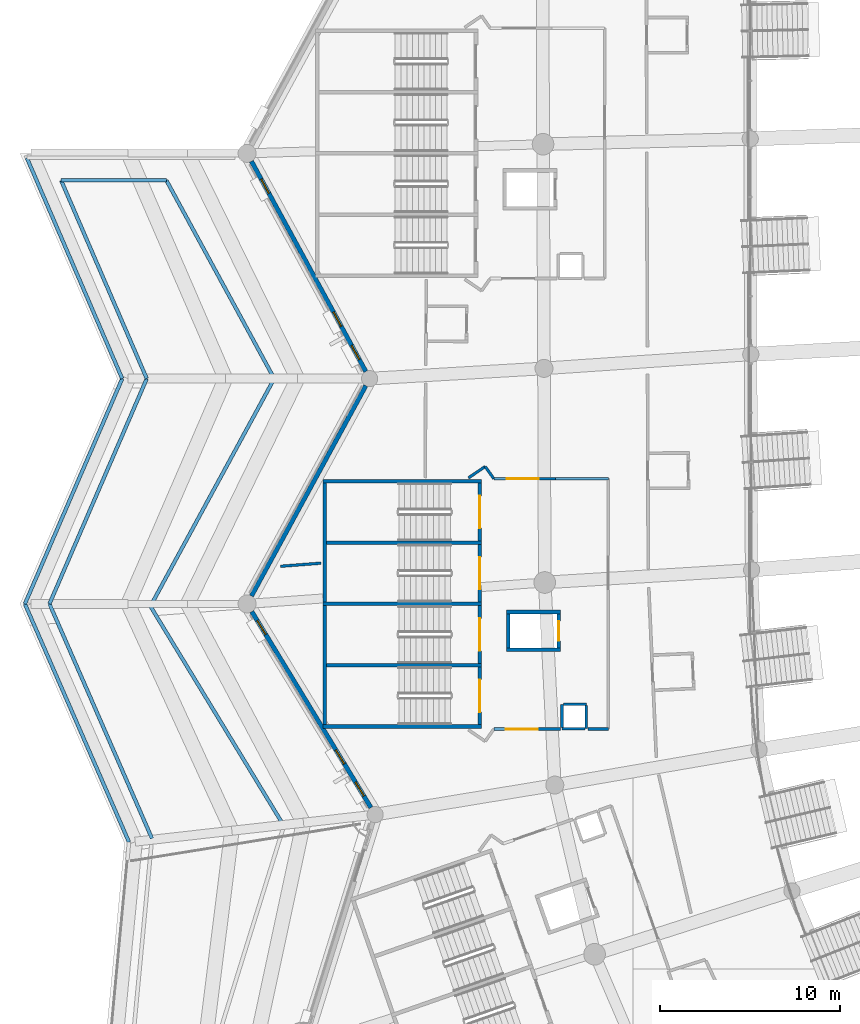
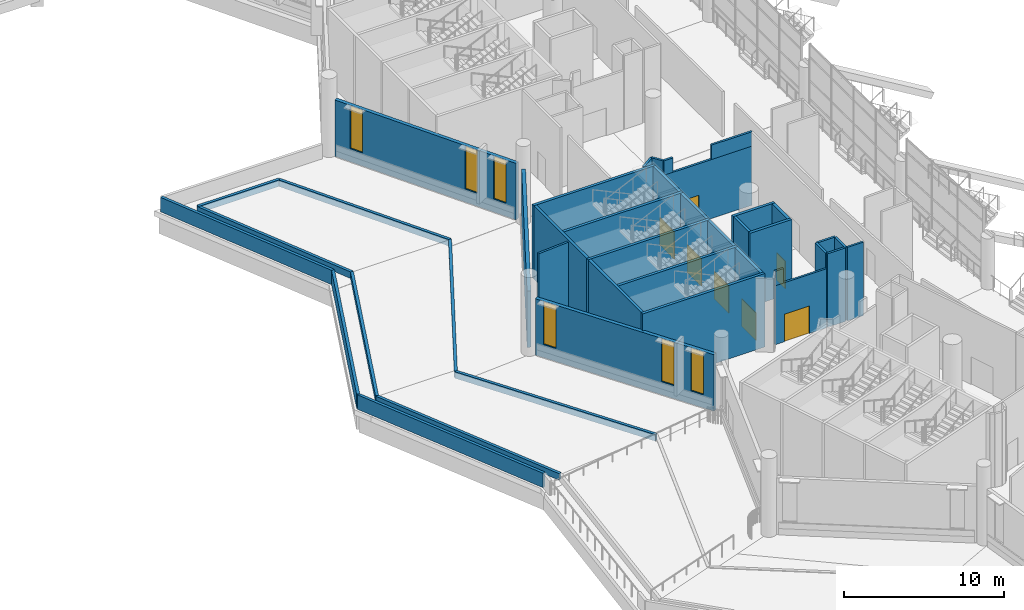
# One storey, part 47 of 173: 41 walls, 7 doors, 6 windows, 13 openings.
"""IFC4 building model written with IfcOpenShell, lengths in metres."""

from ifc_helpers import new_model, si_unit, direction, frame, frame_2d, origin, place, context, subcontext, project, spatial, rectangle, extrude, material, layer, layer_set, type_object, element, fill, save


model = new_model("IFC4")

# Units and contexts
model_context = context("Model", 3, precision=1e-05, world=origin(), true_north=direction((0.0, 1.0)))
body_context = subcontext(model_context, "Body", "Model", "MODEL_VIEW")
ifc_project = project(units=[si_unit("LENGTHUNIT", "METRE"), si_unit("AREAUNIT", "SQUARE_METRE"), si_unit("VOLUMEUNIT", "CUBIC_METRE"), si_unit("PLANEANGLEUNIT", "RADIAN"), si_unit("MASSUNIT", "GRAM", prefix="KILO")], contexts=[model_context])

# Site, building, storey
site_placement = place(None, origin())
site = spatial("IfcSite", under=ifc_project, at=site_placement, CompositionType="ELEMENT")
building_placement = place(site_placement, origin())
building = spatial("IfcBuilding", under=site, at=building_placement, Name="Meseta Stadium", CompositionType="ELEMENT")
storey_placement = place(building_placement, frame((0.0, 0.0, 18.0)))
storey = spatial("IfcBuildingStorey", under=building, at=storey_placement, Name="L03", CompositionType="ELEMENT", Elevation=18.0)

# Walls
ifc_material_1 = material(Name="Concrete C40/50", Category="concrete")
ifc_layer_1 = layer(ifc_material_1, 0.199951171875)
ifc_layer_set_1 = layer_set([ifc_layer_1], Name="Core divider wall 200")
wall_type_1 = type_object("IfcWallType", Name="Core divider wall 200", PredefinedType="SHEAR", material=ifc_layer_set_1)
for number, where, z_axis, x_axis, name in (
    (1, (-97.199951171875, -40.35009765625, 0.0), (0.0, 0.0, 1.0), (1.0, 0.0, 0.0), "Core 19 L03 stair A divider wall"),
    (2, (-97.199951171875, -47.14990234375, 0.0), (0.0, 0.0, 1.0), (1.0, 0.0, 0.0), "Core 19 L03 stair B divider wall"),
):
    element("IfcWall", number, at=place(storey_placement, frame(where, z_axis=z_axis, x_axis=x_axis)), inside=storey, type_object=wall_type_1, Name=name, PredefinedType="SHEAR", context=body_context, shape_type="SweptSolid", body=[
        extrude(rectangle(XDim=8.800048828125, YDim=0.199951171875, at=frame_2d((4.39990234375, 0.0))), origin(), (0.0, 0.0, 1.0), 5.60009765625),
    ])
ifc_material_2 = material(Name="Concrete C40/50", Category="concrete")
ifc_layer_2 = layer(ifc_material_2, 0.199951171875)
ifc_layer_set_2 = layer_set([ifc_layer_2], Name="Core shaft wall 200")
wall_type_2 = type_object("IfcWallType", Name="Core shaft wall 200", PredefinedType="SHEAR", material=ifc_layer_set_2)
for number, where, z_axis, x_axis, name in (
    (3, (-97.199951171875, -36.949951171875, 0.0), (0.0, 0.0, 1.0), (1.0, 0.0, 0.0), "Core 19 L03 stair wall A-side"),
    (4, (-97.199951171875, -43.75, 0.0), (0.0, 0.0, 1.0), (1.0, 0.0, 0.0), "Core 19 L03 stair wall shared"),
    (5, (-97.199951171875, -50.550048828125, 0.0), (0.0, 0.0, 1.0), (1.0, 0.0, 0.0), "Core 19 L03 stair wall B-side"),
):
    element("IfcWall", number, at=place(storey_placement, frame(where, z_axis=z_axis, x_axis=x_axis)), inside=storey, type_object=wall_type_2, Name=name, PredefinedType="SHEAR", context=body_context, shape_type="SweptSolid", body=[
        extrude(rectangle(XDim=8.800048828125, YDim=0.199951171875, at=frame_2d((4.39990234375, 0.0))), origin(), (0.0, 0.0, 1.0), 5.60009765625),
    ])
for number, where, z_axis, x_axis, name in (
    (6, (-97.10009765625, -37.050048828125, 0.0), (0.0, 0.0, 1.0), (0.0, -1.0, 0.0), "Core 19 L03 stair A outer end wall"),
    (7, (-97.10009765625, -43.85009765625, 0.0), (0.0, 0.0, 1.0), (0.0, -1.0, 0.0), "Core 19 L03 stair B outer end wall"),
):
    element("IfcWall", number, at=place(storey_placement, frame(where, z_axis=z_axis, x_axis=x_axis)), inside=storey, type_object=wall_type_2, Name=name, PredefinedType="SHEAR", context=body_context, shape_type="SweptSolid", body=[
        extrude(rectangle(XDim=6.599853515625, YDim=0.199951171875, at=frame_2d((3.2998046875, 0.0))), origin(), (0.0, 0.0, 1.0), 5.60009765625),
    ])

# Wall, opening, door
wall_1_placement = place(storey_placement, frame((-88.5, -37.050048828125, 0.0), z_axis=(0.0, 0.0, 1.0), x_axis=(0.0, -1.0, 0.0)))
wall_1 = element("IfcWall", 8, at=wall_1_placement, inside=storey, type_object=wall_type_2, Name="Core 19 L03 stair A1 inner end wall", PredefinedType="SHEAR", context=body_context, shape_type="SweptSolid", body=[
    extrude(rectangle(XDim=3.199951171875, YDim=0.199951171875, at=frame_2d((1.60009765625, 0.0))), origin(), (0.0, 0.0, 1.0), 5.60009765625),
])
opening_1_placement = place(wall_1_placement, frame((0.699951171875, 0.0, 0.0)))
opening_1 = element("IfcOpeningElement", 9, at=opening_1_placement, cuts=wall_1, Name="Opening D1294", PredefinedType="OPENING", context=body_context, shape_type="SweptSolid", body=[
    extrude(rectangle(XDim=1.800048828125, YDim=2.10009765625, at=frame_2d((0.89990234375, 1.050048828125))), frame((0.0, 0.10986328125, 0.0), z_axis=(0.0, -1.0, 0.0), x_axis=(1.0, 0.0, 0.0)), (0.0, 0.0, 1.0), 0.219970703125),
])
ifc_material_3 = material(Name="Steel", Category="steel")
door_type_1 = type_object("IfcDoorType", Name="Stair door 1800x2100", OperationType="DOUBLE_DOOR_SINGLE_SWING", PredefinedType="DOOR", material=ifc_material_3)
door_1_placement = place(opening_1_placement, origin())
door_1 = element("IfcDoor", 10, at=door_1_placement, inside=storey, type_object=door_type_1, Name="Stair A1 door 19 L03", OperationType="DOUBLE_DOOR_SINGLE_SWING", OverallHeight=2.10009765625, OverallWidth=1.800048828125, PredefinedType="DOOR", context=body_context, shape_type="SweptSolid", body=[
    extrude(rectangle(XDim=1.800048828125, YDim=2.10009765625, at=frame_2d((0.89990234375, 1.050048828125))), frame((0.0, 0.02490234375, 0.0), z_axis=(0.0, -1.0, 0.0), x_axis=(1.0, 0.0, 0.0)), (0.0, 0.0, 1.0), 0.050048828125),
])
fill(opening_1, door_1)

wall_2_placement = place(storey_placement, frame((-88.5, -40.449951171875, 0.0), z_axis=(0.0, 0.0, 1.0), x_axis=(0.0, -1.0, 0.0)))
wall_2 = element("IfcWall", 11, at=wall_2_placement, inside=storey, type_object=wall_type_2, Name="Core 19 L03 stair A2 inner end wall", PredefinedType="SHEAR", context=body_context, shape_type="SweptSolid", body=[
    extrude(rectangle(XDim=3.199951171875, YDim=0.199951171875, at=frame_2d((1.60009765625, 0.0))), origin(), (0.0, 0.0, 1.0), 5.60009765625),
])
opening_2_placement = place(wall_2_placement, frame((0.699951171875, 0.0, 0.0)))
opening_2 = element("IfcOpeningElement", 12, at=opening_2_placement, cuts=wall_2, Name="Opening D1293", PredefinedType="OPENING", context=body_context, shape_type="SweptSolid", body=[
    extrude(rectangle(XDim=1.800048828125, YDim=2.10009765625, at=frame_2d((0.89990234375, 1.050048828125))), frame((0.0, 0.10986328125, 0.0), z_axis=(0.0, -1.0, 0.0), x_axis=(1.0, 0.0, 0.0)), (0.0, 0.0, 1.0), 0.219970703125),
])
door_2_placement = place(opening_2_placement, origin())
door_2 = element("IfcDoor", 13, at=door_2_placement, inside=storey, type_object=door_type_1, Name="Stair A2 door 19 L03", OperationType="DOUBLE_DOOR_SINGLE_SWING", OverallHeight=2.10009765625, OverallWidth=1.800048828125, PredefinedType="DOOR", context=body_context, shape_type="SweptSolid", body=[
    extrude(rectangle(XDim=1.800048828125, YDim=2.10009765625, at=frame_2d((0.89990234375, 1.050048828125))), frame((0.0, 0.02490234375, 0.0), z_axis=(0.0, -1.0, 0.0), x_axis=(1.0, 0.0, 0.0)), (0.0, 0.0, 1.0), 0.050048828125),
])
fill(opening_2, door_2)

wall_3_placement = place(storey_placement, frame((-88.5, -43.85009765625, 0.0), z_axis=(0.0, 0.0, 1.0), x_axis=(0.0, -1.0, 0.0)))
wall_3 = element("IfcWall", 14, at=wall_3_placement, inside=storey, type_object=wall_type_2, Name="Core 19 L03 stair B1 inner end wall", PredefinedType="SHEAR", context=body_context, shape_type="SweptSolid", body=[
    extrude(rectangle(XDim=3.199951171875, YDim=0.199951171875, at=frame_2d((1.60009765625, 0.0))), origin(), (0.0, 0.0, 1.0), 5.60009765625),
])
opening_3_placement = place(wall_3_placement, frame((0.699951171875, 0.0, 0.0)))
opening_3 = element("IfcOpeningElement", 15, at=opening_3_placement, cuts=wall_3, Name="Opening D1292", PredefinedType="OPENING", context=body_context, shape_type="SweptSolid", body=[
    extrude(rectangle(XDim=1.800048828125, YDim=2.10009765625, at=frame_2d((0.89990234375, 1.050048828125))), frame((0.0, 0.10986328125, 0.0), z_axis=(0.0, -1.0, 0.0), x_axis=(1.0, 0.0, 0.0)), (0.0, 0.0, 1.0), 0.219970703125),
])
door_3_placement = place(opening_3_placement, origin())
door_3 = element("IfcDoor", 16, at=door_3_placement, inside=storey, type_object=door_type_1, Name="Stair B1 door 19 L03", OperationType="DOUBLE_DOOR_SINGLE_SWING", OverallHeight=2.10009765625, OverallWidth=1.800048828125, PredefinedType="DOOR", context=body_context, shape_type="SweptSolid", body=[
    extrude(rectangle(XDim=1.800048828125, YDim=2.10009765625, at=frame_2d((0.89990234375, 1.050048828125))), frame((0.0, 0.02490234375, 0.0), z_axis=(0.0, -1.0, 0.0), x_axis=(1.0, 0.0, 0.0)), (0.0, 0.0, 1.0), 0.050048828125),
])
fill(opening_3, door_3)

wall_4_placement = place(storey_placement, frame((-88.5, -47.25, 0.0), z_axis=(0.0, 0.0, 1.0), x_axis=(0.0, -1.0, 0.0)))
wall_4 = element("IfcWall", 17, at=wall_4_placement, inside=storey, type_object=wall_type_2, Name="Core 19 L03 stair B2 inner end wall", PredefinedType="SHEAR", context=body_context, shape_type="SweptSolid", body=[
    extrude(rectangle(XDim=3.199951171875, YDim=0.199951171875, at=frame_2d((1.60009765625, 0.0))), origin(), (0.0, 0.0, 1.0), 5.60009765625),
])
opening_4_placement = place(wall_4_placement, frame((0.699951171875, 0.0, 0.0)))
opening_4 = element("IfcOpeningElement", 18, at=opening_4_placement, cuts=wall_4, Name="Opening D1291", PredefinedType="OPENING", context=body_context, shape_type="SweptSolid", body=[
    extrude(rectangle(XDim=1.800048828125, YDim=2.10009765625, at=frame_2d((0.89990234375, 1.050048828125))), frame((0.0, 0.10986328125, 0.0), z_axis=(0.0, -1.0, 0.0), x_axis=(1.0, 0.0, 0.0)), (0.0, 0.0, 1.0), 0.219970703125),
])
door_4_placement = place(opening_4_placement, origin())
door_4 = element("IfcDoor", 19, at=door_4_placement, inside=storey, type_object=door_type_1, Name="Stair B2 door 19 L03", OperationType="DOUBLE_DOOR_SINGLE_SWING", OverallHeight=2.10009765625, OverallWidth=1.800048828125, PredefinedType="DOOR", context=body_context, shape_type="SweptSolid", body=[
    extrude(rectangle(XDim=1.800048828125, YDim=2.10009765625, at=frame_2d((0.89990234375, 1.050048828125))), frame((0.0, 0.02490234375, 0.0), z_axis=(0.0, -1.0, 0.0), x_axis=(1.0, 0.0, 0.0)), (0.0, 0.0, 1.0), 0.050048828125),
])
fill(opening_4, door_4)

# Walls
for number, where, z_axis, x_axis, name in (
    (20, (-87.0, -44.199951171875, 0.0), (0.0, 0.0, 1.0), (1.0, 0.0, 0.0), "Core 19 L03 lift shaft wall left"),
    (21, (-87.0, -46.300048828125, 0.0), (0.0, 0.0, 1.0), (1.0, 0.0, 0.0), "Core 19 L03 lift shaft wall right"),
):
    element("IfcWall", number, at=place(storey_placement, frame(where, z_axis=z_axis, x_axis=x_axis)), inside=storey, type_object=wall_type_2, Name=name, PredefinedType="SHEAR", context=body_context, shape_type="SweptSolid", body=[
        extrude(rectangle(XDim=3.0, YDim=0.199951171875, at=frame_2d((1.5, 0.0))), origin(), (0.0, 0.0, 1.0), 5.60009765625),
    ])
wall_5_placement = place(storey_placement, frame((-86.89990234375, -44.300048828125, 0.0), z_axis=(0.0, 0.0, 1.0), x_axis=(0.0, -1.0, 0.0)))
element("IfcWall", 22, at=wall_5_placement, inside=storey, type_object=wall_type_2, Name="Core 19 L03 lift shaft back wall", PredefinedType="SHEAR", context=body_context, shape_type="SweptSolid", body=[
    extrude(rectangle(XDim=1.89990234375, YDim=0.199951171875, at=frame_2d((0.949951171875, 0.0))), origin(), (0.0, 0.0, 1.0), 5.60009765625),
])

# Wall, opening, door
wall_6_placement = place(storey_placement, frame((-84.10009765625, -44.300048828125, 0.0), z_axis=(0.0, 0.0, 1.0), x_axis=(0.0, -1.0, 0.0)))
wall_6 = element("IfcWall", 23, at=wall_6_placement, inside=storey, type_object=wall_type_2, Name="Core 19 L03 lift shaft front wall", PredefinedType="SHEAR", context=body_context, shape_type="SweptSolid", body=[
    extrude(rectangle(XDim=1.89990234375, YDim=0.199951171875, at=frame_2d((0.949951171875, 0.0))), origin(), (0.0, 0.0, 1.0), 5.60009765625),
])
opening_5_placement = place(wall_6_placement, frame((0.39990234375, 0.0, 0.0)))
opening_5 = element("IfcOpeningElement", 24, at=opening_5_placement, cuts=wall_6, Name="Opening LD107", PredefinedType="OPENING", context=body_context, shape_type="SweptSolid", body=[
    extrude(rectangle(XDim=1.10009765625, YDim=2.10009765625, at=frame_2d((0.550048828125, 1.050048828125))), frame((0.0, 0.10986328125, 0.0), z_axis=(0.0, -1.0, 0.0), x_axis=(1.0, 0.0, 0.0)), (0.0, 0.0, 1.0), 0.219970703125),
])
ifc_material_4 = material(Name="Steel", Category="steel")
door_type_2 = type_object("IfcDoorType", Name="Lift landing door 1100x2100", OperationType="SLIDING_TO_LEFT", PredefinedType="DOOR", material=ifc_material_4)
door_5_placement = place(opening_5_placement, origin())
door_5 = element("IfcDoor", 25, at=door_5_placement, inside=storey, type_object=door_type_2, Name="Lift landing door LD107", OperationType="SLIDING_TO_LEFT", OverallHeight=2.10009765625, OverallWidth=1.10009765625, PredefinedType="DOOR", context=body_context, shape_type="SweptSolid", body=[
    extrude(rectangle(XDim=1.10009765625, YDim=2.10009765625, at=frame_2d((0.550048828125, 1.050048828125))), frame((0.0, 0.02490234375, 0.0), z_axis=(0.0, -1.0, 0.0), x_axis=(1.0, 0.0, 0.0)), (0.0, 0.0, 1.0), 0.050048828125),
])
fill(opening_5, door_5)

# Walls
ifc_material_5 = material(Name="Masonry blockwork", Category="masonry")
ifc_layer_3 = layer(ifc_material_5, 0.14990234375)
ifc_layer_set_3 = layer_set([ifc_layer_3], Name="Partition 150")
wall_type_3 = type_object("IfcWallType", Name="Partition 150", PredefinedType="PARTITIONING", material=ifc_layer_set_3)
wall_7_placement = place(storey_placement, frame((-97.300048828125, -41.48974609375, 0.0), z_axis=(0.0, 0.0, 1.0), x_axis=(-0.99706720675, -0.076530942913, 0.0)))
element("IfcWall", 26, at=wall_7_placement, inside=storey, type_object=wall_type_3, Name="Partition L03 L03-cell17-2-0", PredefinedType="PARTITIONING", context=body_context, shape_type="SweptSolid", body=[
    extrude(rectangle(XDim=2.25537109375, YDim=0.14990234375, at=frame_2d((1.127685546875, 0.0))), origin(), (0.0, 0.0, 1.0), 5.60009765625),
])
for number, where, z_axis, x_axis, name in (
    (27, (-83.925048828125, -49.324951171875, 0.0), (0.0, 0.0, 1.0), (0.0, -1.0, 0.0), "Pressurisation shaft wall L03 core 19"),
    (28, (-83.925048828125, -50.675048828125, 0.0), (0.0, 0.0, 1.0), (1.0, 0.0, 0.0), "Pressurisation shaft wall L03 core 19"),
    (29, (-82.574951171875, -50.675048828125, 0.0), (0.0, 0.0, 1.0), (0.0, 1.0, 0.0), "Pressurisation shaft wall L03 core 19"),
    (30, (-82.574951171875, -49.324951171875, 0.0), (0.0, 0.0, 1.0), (-1.0, 0.0, 0.0), "Pressurisation shaft wall L03 core 19"),
):
    element("IfcWall", number, at=place(storey_placement, frame(where, z_axis=z_axis, x_axis=x_axis)), inside=storey, type_object=wall_type_3, Name=name, PredefinedType="PARTITIONING", context=body_context, shape_type="SweptSolid", body=[
        extrude(rectangle(XDim=1.275146484375, YDim=0.14990234375, at=frame_2d((0.6376953125, 0.0))), origin(), (0.0, 0.0, 1.0), 5.60009765625),
    ])

# Wall, opening, door
wall_8_placement = place(storey_placement, frame((-87.70947265625, -50.695068359375, 0.0), z_axis=(0.0, 0.0, 1.0), x_axis=(1.0, 0.0, 0.0)))
wall_8 = element("IfcWall", 31, at=wall_8_placement, inside=storey, type_object=wall_type_3, Name="Stair vestibule wall L03 core 19", PredefinedType="PARTITIONING", context=body_context, shape_type="SweptSolid", body=[
    extrude(rectangle(XDim=3.70361328125, YDim=0.14990234375, at=frame_2d((1.851806640625, 0.0))), origin(), (0.0, 0.0, 1.0), 4.5),
])
opening_6_placement = place(wall_8_placement, frame((0.64990234375, 0.0, 0.0)))
opening_6 = element("IfcOpeningElement", 32, at=opening_6_placement, cuts=wall_8, Name="Opening D1308", PredefinedType="OPENING", context=body_context, shape_type="SweptSolid", body=[
    extrude(rectangle(XDim=1.800048828125, YDim=2.10009765625, at=frame_2d((0.89990234375, 1.050048828125))), frame((0.0, 0.0849609375, 0.0), z_axis=(0.0, -1.0, 0.0), x_axis=(1.0, 0.0, 0.0)), (0.0, 0.0, 1.0), 0.169921875),
])
ifc_material_6 = material(Name="Steel", Category="steel")
door_type_3 = type_object("IfcDoorType", Name="Fire double door 1800x2100 EI2 60", OperationType="DOUBLE_DOOR_SINGLE_SWING", PredefinedType="DOOR", material=ifc_material_6)
door_6_placement = place(opening_6_placement, origin())
door_6 = element("IfcDoor", 33, at=door_6_placement, inside=storey, type_object=door_type_3, Name="Stair vestibule door L03 core 19", OperationType="DOUBLE_DOOR_SINGLE_SWING", OverallHeight=2.10009765625, OverallWidth=1.800048828125, PredefinedType="DOOR", context=body_context, shape_type="SweptSolid", body=[
    extrude(rectangle(XDim=1.800048828125, YDim=2.10009765625, at=frame_2d((0.89990234375, 1.050048828125))), frame((0.0, 0.02490234375, 0.0), z_axis=(0.0, -1.0, 0.0), x_axis=(1.0, 0.0, 0.0)), (0.0, 0.0, 1.0), 0.050048828125),
])
fill(opening_6, door_6)

# Walls
wall_9_placement = place(storey_placement, frame((-87.70947265625, -50.695068359375, 4.5), z_axis=(0.0, 0.0, 1.0), x_axis=(1.0, 0.0, 0.0)))
element("IfcWall", 34, at=wall_9_placement, inside=storey, type_object=wall_type_3, Name="Stair vestibule wall L03 core 19", PredefinedType="PARTITIONING", context=body_context, shape_type="SweptSolid", body=[
    extrude(rectangle(XDim=0.599853515625, YDim=0.14990234375, at=frame_2d((0.2998046875, 0.0))), origin(), (0.0, 0.0, 1.0), 1.10009765625),
])
wall_10_placement = place(storey_placement, frame((-82.489990234375, -50.695068359375, 0.0), z_axis=(0.0, 0.0, 1.0), x_axis=(1.0, 0.0, 0.0)))
element("IfcWall", 35, at=wall_10_placement, inside=storey, type_object=wall_type_3, Name="Stair vestibule wall L03 core 19", PredefinedType="PARTITIONING", context=body_context, shape_type="SweptSolid", body=[
    extrude(rectangle(XDim=1.135009765625, YDim=0.14990234375, at=frame_2d((0.5673828125, 0.0))), origin(), (0.0, 0.0, 1.0), 5.60009765625),
])

# Wall, opening, door
wall_11_placement = place(storey_placement, frame((-81.35498046875, -36.804931640625, 0.0), z_axis=(0.0, 0.0, 1.0), x_axis=(-1.0, 0.0, 0.0)))
wall_11 = element("IfcWall", 36, at=wall_11_placement, inside=storey, type_object=wall_type_3, Name="Stair vestibule wall L03 core 19", PredefinedType="PARTITIONING", context=body_context, shape_type="SweptSolid", body=[
    extrude(rectangle(XDim=6.354248046875, YDim=0.14990234375, at=frame_2d((3.17724609375, 0.0))), origin(), (0.0, 0.0, 1.0), 4.5),
])
opening_7_placement = place(wall_11_placement, frame((3.85009765625, 0.0, 0.0)))
opening_7 = element("IfcOpeningElement", 37, at=opening_7_placement, cuts=wall_11, Name="Opening D1309", PredefinedType="OPENING", context=body_context, shape_type="SweptSolid", body=[
    extrude(rectangle(XDim=1.800048828125, YDim=2.10009765625, at=frame_2d((0.89990234375, 1.050048828125))), frame((0.0, 0.0849609375, 0.0), z_axis=(0.0, -1.0, 0.0), x_axis=(1.0, 0.0, 0.0)), (0.0, 0.0, 1.0), 0.169921875),
])
door_7_placement = place(opening_7_placement, origin())
door_7 = element("IfcDoor", 38, at=door_7_placement, inside=storey, type_object=door_type_3, Name="Stair vestibule door L03 core 19", OperationType="DOUBLE_DOOR_SINGLE_SWING", OverallHeight=2.10009765625, OverallWidth=1.800048828125, PredefinedType="DOOR", context=body_context, shape_type="SweptSolid", body=[
    extrude(rectangle(XDim=1.800048828125, YDim=2.10009765625, at=frame_2d((0.89990234375, 1.050048828125))), frame((0.0, 0.02490234375, 0.0), z_axis=(0.0, -1.0, 0.0), x_axis=(1.0, 0.0, 0.0)), (0.0, 0.0, 1.0), 0.050048828125),
])
fill(opening_7, door_7)

# Walls
wall_12_placement = place(storey_placement, frame((-81.35498046875, -36.804931640625, 4.5), z_axis=(0.0, 0.0, 1.0), x_axis=(-1.0, 0.0, 0.0)))
element("IfcWall", 39, at=wall_12_placement, inside=storey, type_object=wall_type_3, Name="Stair vestibule wall L03 core 19", PredefinedType="PARTITIONING", context=body_context, shape_type="SweptSolid", body=[
    extrude(rectangle(XDim=2.9326171875, YDim=0.14990234375, at=frame_2d((1.46630859375, 0.0))), origin(), (0.0, 0.0, 1.0), 1.10009765625),
])
wall_13_placement = place(storey_placement, frame((-87.054931640625, -36.804931640625, 4.5), z_axis=(0.0, 0.0, 1.0), x_axis=(-1.0, 0.0, 0.0)))
element("IfcWall", 40, at=wall_13_placement, inside=storey, type_object=wall_type_3, Name="Stair vestibule wall L03 core 19", PredefinedType="PARTITIONING", context=body_context, shape_type="SweptSolid", body=[
    extrude(rectangle(XDim=0.654296875, YDim=0.14990234375, at=frame_2d((0.3271484375, 0.0))), origin(), (0.0, 0.0, 1.0), 1.10009765625),
])
wall_14_placement = place(storey_placement, frame((-87.709228515625, -36.804931640625, 0.0), z_axis=(0.0, 0.0, 1.0), x_axis=(-0.575573582652, 0.81774999294, 0.0)))
element("IfcWall", 41, at=wall_14_placement, inside=storey, type_object=wall_type_3, Name="Stair vestibule wall L03 core 19", PredefinedType="PARTITIONING", context=body_context, shape_type="SweptSolid", body=[
    extrude(rectangle(XDim=0.82958984375, YDim=0.14990234375, at=frame_2d((0.414794921875, 0.0))), origin(), (0.0, 0.0, 1.0), 5.60009765625),
])
wall_15_placement = place(storey_placement, frame((-88.186767578125, -36.12646484375, 0.0), z_axis=(0.0, 0.0, 1.0), x_axis=(-0.827055308354, -0.562120553728, 0.0)))
element("IfcWall", 42, at=wall_15_placement, inside=storey, type_object=wall_type_3, Name="Stair vestibule wall L03 core 19", PredefinedType="PARTITIONING", context=body_context, shape_type="SweptSolid", body=[
    extrude(rectangle(XDim=1.1279296875, YDim=0.14990234375, at=frame_2d((0.56396484375, 0.0))), origin(), (0.0, 0.0, 1.0), 5.60009765625),
])
ifc_material_7 = material(Name="Precast concrete C40/50", Category="concrete")
ifc_layer_4 = layer(ifc_material_7, 0.199951171875)
ifc_layer_set_4 = layer_set([ifc_layer_4], Name="Planter kerb 200")
wall_type_4 = type_object("IfcWallType", Name="Planter kerb 200", PredefinedType="USERDEFINED", material=ifc_layer_set_4)
wall_16_placement = place(storey_placement, frame((-106.676513671875, -56.76416015625, 0.0), z_axis=(0.0, 0.0, 1.0), x_axis=(-0.400393260709, 0.916343405486, 0.0)))
element("IfcWall", 43, at=wall_16_placement, inside=storey, type_object=wall_type_4, Name="Planter kerb 5.1.2", ObjectType="PLANTER", PredefinedType="USERDEFINED", context=body_context, shape_type="SweptSolid", body=[
    extrude(rectangle(XDim=14.2060546875, YDim=0.199951171875, at=frame_2d((7.10302734375, 0.0))), origin(), (0.0, 0.0, 1.0), 0.5),
])
wall_17_placement = place(storey_placement, frame((-112.364501953125, -43.74658203125, 0.0), z_axis=(0.0, 0.0, 1.0), x_axis=(0.396571369151, 0.918003893875, 0.0)))
element("IfcWall", 44, at=wall_17_placement, inside=storey, type_object=wall_type_4, Name="Planter kerb 5.1.3", ObjectType="PLANTER", PredefinedType="USERDEFINED", context=body_context, shape_type="SweptSolid", body=[
    extrude(rectangle(XDim=13.61279296875, YDim=0.199951171875, at=frame_2d((6.806396484375, 0.0))), origin(), (0.0, 0.0, 1.0), 0.5),
])
wall_18_placement = place(storey_placement, frame((-106.966064453125, -31.25, 0.0), z_axis=(0.0, 0.0, 1.0), x_axis=(-0.396573392592, 0.91800301976, 0.0)))
element("IfcWall", 45, at=wall_18_placement, inside=storey, type_object=wall_type_4, Name="Planter kerb 5.1.4", ObjectType="PLANTER", PredefinedType="USERDEFINED", context=body_context, shape_type="SweptSolid", body=[
    extrude(rectangle(XDim=11.982421875, YDim=0.199951171875, at=frame_2d((5.9912109375, 0.0))), origin(), (0.0, 0.0, 1.0), 0.5),
])
wall_19_placement = place(storey_placement, frame((-111.718017578125, -20.25, 0.0), z_axis=(0.0, 0.0, 1.0), x_axis=(1.0, 0.0, 0.0)))
element("IfcWall", 46, at=wall_19_placement, inside=storey, type_object=wall_type_4, Name="Planter kerb 5.1.5", ObjectType="PLANTER", PredefinedType="USERDEFINED", context=body_context, shape_type="SweptSolid", body=[
    extrude(rectangle(XDim=5.840576171875, YDim=0.199951171875, at=frame_2d((2.92041015625, 0.0))), origin(), (0.0, 0.0, 1.0), 0.5),
])
wall_20_placement = place(storey_placement, frame((-105.87744140625, -20.25, 0.0), z_axis=(0.0, 0.0, 1.0), x_axis=(0.477860109602, -0.87843594852, 0.0)))
element("IfcWall", 47, at=wall_20_placement, inside=storey, type_object=wall_type_4, Name="Planter kerb 5.1.6", ObjectType="PLANTER", PredefinedType="USERDEFINED", context=body_context, shape_type="SweptSolid", body=[
    extrude(rectangle(XDim=12.522216796875, YDim=0.199951171875, at=frame_2d((6.26123046875, 0.0))), origin(), (0.0, 0.0, 1.0), 0.5),
])
wall_21_placement = place(storey_placement, frame((-99.8935546875, -31.25, 0.0), z_axis=(0.0, 0.0, 1.0), x_axis=(-0.477867824047, -0.878431751897, 0.0)))
element("IfcWall", 48, at=wall_21_placement, inside=storey, type_object=wall_type_4, Name="Planter kerb 5.1.7", ObjectType="PLANTER", PredefinedType="USERDEFINED", context=body_context, shape_type="SweptSolid", body=[
    extrude(rectangle(XDim=14.3759765625, YDim=0.199951171875, at=frame_2d((7.18798828125, 0.0))), origin(), (0.0, 0.0, 1.0), 0.5),
])
wall_22_placement = place(storey_placement, frame((-106.763427734375, -43.87841796875, 0.0), z_axis=(0.0, 0.0, 1.0), x_axis=(0.519369456412, -0.854549804135, 0.0)))
element("IfcWall", 49, at=wall_22_placement, inside=storey, type_object=wall_type_4, Name="Planter kerb 5.1.8", ObjectType="PLANTER", PredefinedType="USERDEFINED", context=body_context, shape_type="SweptSolid", body=[
    extrude(rectangle(XDim=14.259521484375, YDim=0.199951171875, at=frame_2d((7.1298828125, 0.0))), origin(), (0.0, 0.0, 1.0), 0.5),
])

# Wall, openings, windows
ifc_material_8 = material(Name="White precast concrete C40/50", Category="concrete")
ifc_layer_5 = layer(ifc_material_8, 0.25)
ifc_layer_set_5 = layer_set([ifc_layer_5], Name="Pleated panel wall 250")
wall_type_5 = type_object("IfcWallType", Name="Pleated panel wall 250", PredefinedType="SOLIDWALL", material=ifc_layer_set_5)
wall_23_placement = place(storey_placement, frame((-94.81494140625, -30.854736328125, 0.0), z_axis=(0.0, 0.0, 1.0), x_axis=(-0.477867771117, 0.878431780691, 0.0)))
wall_23 = element("IfcWall", 50, at=wall_23_placement, inside=storey, type_object=wall_type_5, Name="Pleated facade panel L03 F34", PredefinedType="SOLIDWALL", context=body_context, shape_type="SweptSolid", body=[
    extrude(rectangle(XDim=13.2802734375, YDim=0.25, at=frame_2d((6.64013671875, 0.0))), origin(), (0.0, 0.0, 1.0), 4.300048828125),
])
opening_8_placement = place(wall_23_placement, frame((0.750244140625, 0.0, 1.0)))
opening_8 = element("IfcOpeningElement", 51, at=opening_8_placement, cuts=wall_23, Name="Opening W063", PredefinedType="OPENING", context=body_context, shape_type="SweptSolid", body=[
    extrude(rectangle(XDim=0.89990234375, YDim=3.25, at=frame_2d((0.449951171875, 1.625))), frame((0.0, 0.135009765625, 0.0), z_axis=(0.0, -1.0, 0.0), x_axis=(1.0, 0.0, 0.0)), (0.0, 0.0, 1.0), 0.27001953125),
])
opening_9_placement = place(wall_23_placement, frame((2.85009765625, 0.0, 1.0)))
opening_9 = element("IfcOpeningElement", 52, at=opening_9_placement, cuts=wall_23, Name="Opening W056", PredefinedType="OPENING", context=body_context, shape_type="SweptSolid", body=[
    extrude(rectangle(XDim=0.89990234375, YDim=3.25, at=frame_2d((0.449951171875, 1.625))), frame((0.0, 0.135009765625, 0.0), z_axis=(0.0, -1.0, 0.0), x_axis=(1.0, 0.0, 0.0)), (0.0, 0.0, 1.0), 0.27001953125),
])
opening_10_placement = place(wall_23_placement, frame((11.250244140625, 0.0, 1.0)))
opening_10 = element("IfcOpeningElement", 53, at=opening_10_placement, cuts=wall_23, Name="Opening W046", PredefinedType="OPENING", context=body_context, shape_type="SweptSolid", body=[
    extrude(rectangle(XDim=0.89990234375, YDim=3.25, at=frame_2d((0.449951171875, 1.625))), frame((0.0, 0.135009765625, 0.0), z_axis=(0.0, -1.0, 0.0), x_axis=(1.0, 0.0, 0.0)), (0.0, 0.0, 1.0), 0.27001953125),
])
ifc_material_9 = material(Name="Aluminium", Category="aluminium")
window_type = type_object("IfcWindowType", Name="Slot window 900x3250", PartitioningType="SINGLE_PANEL", PredefinedType="WINDOW", material=ifc_material_9)
window_1_placement = place(opening_8_placement, origin())
window_1 = element("IfcWindow", 54, at=window_1_placement, inside=storey, type_object=window_type, Name="Slot window L03 F34.1", OverallHeight=3.25, OverallWidth=0.89990234375, PartitioningType="SINGLE_PANEL", PredefinedType="WINDOW", context=body_context, shape_type="SweptSolid", body=[
    extrude(rectangle(XDim=0.89990234375, YDim=3.25, at=frame_2d((0.449951171875, 1.625))), frame((0.0, 0.030029296875, 0.0), z_axis=(0.0, -1.0, 0.0), x_axis=(1.0, 0.0, 0.0)), (0.0, 0.0, 1.0), 0.06005859375),
])
fill(opening_8, window_1)
window_2_placement = place(opening_9_placement, origin())
window_2 = element("IfcWindow", 55, at=window_2_placement, inside=storey, type_object=window_type, Name="Slot window L03 F34.2", OverallHeight=3.25, OverallWidth=0.89990234375, PartitioningType="SINGLE_PANEL", PredefinedType="WINDOW", context=body_context, shape_type="SweptSolid", body=[
    extrude(rectangle(XDim=0.89990234375, YDim=3.25, at=frame_2d((0.449951171875, 1.625))), frame((0.0, 0.030029296875, 0.0), z_axis=(0.0, -1.0, 0.0), x_axis=(1.0, 0.0, 0.0)), (0.0, 0.0, 1.0), 0.06005859375),
])
fill(opening_9, window_2)
window_3_placement = place(opening_10_placement, origin())
window_3 = element("IfcWindow", 56, at=window_3_placement, inside=storey, type_object=window_type, Name="Slot window L03 F34.6", OverallHeight=3.25, OverallWidth=0.89990234375, PartitioningType="SINGLE_PANEL", PredefinedType="WINDOW", context=body_context, shape_type="SweptSolid", body=[
    extrude(rectangle(XDim=0.89990234375, YDim=3.25, at=frame_2d((0.449951171875, 1.625))), frame((0.0, 0.030029296875, 0.0), z_axis=(0.0, -1.0, 0.0), x_axis=(1.0, 0.0, 0.0)), (0.0, 0.0, 1.0), 0.06005859375),
])
fill(opening_10, window_3)

# Wall
wall_24_placement = place(storey_placement, frame((-101.1611328125, -43.31103515625, 0.0), z_axis=(0.0, 0.0, 1.0), x_axis=(0.477867771117, 0.878431780691, 0.0)))
element("IfcWall", 57, at=wall_24_placement, inside=storey, type_object=wall_type_5, Name="Pleated facade panel L03 F35", PredefinedType="SOLIDWALL", context=body_context, shape_type="SweptSolid", body=[
    extrude(rectangle(XDim=13.2802734375, YDim=0.25, at=frame_2d((6.64013671875, 0.0))), origin(), (0.0, 0.0, 1.0), 4.300048828125),
])

# Wall, openings, windows
wall_25_placement = place(storey_placement, frame((-94.52783203125, -55.057373046875, 0.0), z_axis=(0.0, 0.0, 1.0), x_axis=(-0.519362860044, 0.854553813172, 0.0)))
wall_25 = element("IfcWall", 58, at=wall_25_placement, inside=storey, type_object=wall_type_5, Name="Pleated facade panel L03 F36", PredefinedType="SOLIDWALL", context=body_context, shape_type="SweptSolid", body=[
    extrude(rectangle(XDim=12.732421875, YDim=0.25, at=frame_2d((6.3662109375, 0.0))), origin(), (0.0, 0.0, 1.0), 4.300048828125),
])
opening_11_placement = place(wall_25_placement, frame((0.75048828125, 0.0, 1.0)))
opening_11 = element("IfcOpeningElement", 59, at=opening_11_placement, cuts=wall_25, Name="Opening W070", PredefinedType="OPENING", context=body_context, shape_type="SweptSolid", body=[
    extrude(rectangle(XDim=0.89990234375, YDim=3.25, at=frame_2d((0.449951171875, 1.625))), frame((0.0, 0.135009765625, 0.0), z_axis=(0.0, -1.0, 0.0), x_axis=(1.0, 0.0, 0.0)), (0.0, 0.0, 1.0), 0.27001953125),
])
opening_12_placement = place(wall_25_placement, frame((2.8505859375, 0.0, 1.0)))
opening_12 = element("IfcOpeningElement", 60, at=opening_12_placement, cuts=wall_25, Name="Opening W061", PredefinedType="OPENING", context=body_context, shape_type="SweptSolid", body=[
    extrude(rectangle(XDim=0.89990234375, YDim=3.25, at=frame_2d((0.449951171875, 1.625))), frame((0.0, 0.135009765625, 0.0), z_axis=(0.0, -1.0, 0.0), x_axis=(1.0, 0.0, 0.0)), (0.0, 0.0, 1.0), 0.27001953125),
])
opening_13_placement = place(wall_25_placement, frame((11.25048828125, 0.0, 1.0)))
opening_13 = element("IfcOpeningElement", 61, at=opening_13_placement, cuts=wall_25, Name="Opening W045", PredefinedType="OPENING", context=body_context, shape_type="SweptSolid", body=[
    extrude(rectangle(XDim=0.89990234375, YDim=3.25, at=frame_2d((0.449951171875, 1.625))), frame((0.0, 0.135009765625, 0.0), z_axis=(0.0, -1.0, 0.0), x_axis=(1.0, 0.0, 0.0)), (0.0, 0.0, 1.0), 0.27001953125),
])
window_4_placement = place(opening_11_placement, origin())
window_4 = element("IfcWindow", 62, at=window_4_placement, inside=storey, type_object=window_type, Name="Slot window L03 F36.1", OverallHeight=3.25, OverallWidth=0.89990234375, PartitioningType="SINGLE_PANEL", PredefinedType="WINDOW", context=body_context, shape_type="SweptSolid", body=[
    extrude(rectangle(XDim=0.89990234375, YDim=3.25, at=frame_2d((0.449951171875, 1.625))), frame((0.0, 0.030029296875, 0.0), z_axis=(0.0, -1.0, 0.0), x_axis=(1.0, 0.0, 0.0)), (0.0, 0.0, 1.0), 0.06005859375),
])
fill(opening_11, window_4)
window_5_placement = place(opening_12_placement, origin())
window_5 = element("IfcWindow", 63, at=window_5_placement, inside=storey, type_object=window_type, Name="Slot window L03 F36.2", OverallHeight=3.25, OverallWidth=0.89990234375, PartitioningType="SINGLE_PANEL", PredefinedType="WINDOW", context=body_context, shape_type="SweptSolid", body=[
    extrude(rectangle(XDim=0.89990234375, YDim=3.25, at=frame_2d((0.449951171875, 1.625))), frame((0.0, 0.030029296875, 0.0), z_axis=(0.0, -1.0, 0.0), x_axis=(1.0, 0.0, 0.0)), (0.0, 0.0, 1.0), 0.06005859375),
])
fill(opening_12, window_5)
window_6_placement = place(opening_13_placement, origin())
window_6 = element("IfcWindow", 64, at=window_6_placement, inside=storey, type_object=window_type, Name="Slot window L03 F36.6", OverallHeight=3.25, OverallWidth=0.89990234375, PartitioningType="SINGLE_PANEL", PredefinedType="WINDOW", context=body_context, shape_type="SweptSolid", body=[
    extrude(rectangle(XDim=0.89990234375, YDim=3.25, at=frame_2d((0.449951171875, 1.625))), frame((0.0, 0.030029296875, 0.0), z_axis=(0.0, -1.0, 0.0), x_axis=(1.0, 0.0, 0.0)), (0.0, 0.0, 1.0), 0.06005859375),
])
fill(opening_13, window_6)

# Walls
ifc_material_10 = material(Name="Concrete C40/50", Category="concrete")
ifc_layer_6 = layer(ifc_material_10, 0.199951171875)
ifc_layer_set_6 = layer_set([ifc_layer_6], Name="Roof parapet 200")
wall_type_6 = type_object("IfcWallType", Name="Roof parapet 200", PredefinedType="PARAPET", material=ifc_layer_set_6)
wall_26_placement = place(storey_placement, frame((-107.951416015625, -56.96826171875, 0.0), z_axis=(0.0, 0.0, 1.0), x_axis=(-0.400392633848, 0.916343679391, 0.0)))
element("IfcWall", 65, at=wall_26_placement, inside=storey, type_object=wall_type_6, Name="Roof parapet 5.30.1", PredefinedType="PARAPET", context=body_context, shape_type="SweptSolid", body=[
    extrude(rectangle(XDim=14.425537109375, YDim=0.199951171875, at=frame_2d((7.212890625, 0.0))), origin(), (0.0, 0.0, 1.0), 1.10009765625),
])
wall_27_placement = place(storey_placement, frame((-113.727294921875, -43.74951171875, 0.0), z_axis=(0.0, 0.0, 1.0), x_axis=(0.396568590049, 0.918005094423, 0.0)))
element("IfcWall", 66, at=wall_27_placement, inside=storey, type_object=wall_type_6, Name="Roof parapet 5.31.1", PredefinedType="PARAPET", context=body_context, shape_type="SweptSolid", body=[
    extrude(rectangle(XDim=13.615966796875, YDim=0.199951171875, at=frame_2d((6.80810546875, 0.0))), origin(), (0.0, 0.0, 1.0), 1.10009765625),
])
wall_28_placement = place(storey_placement, frame((-108.32763671875, -31.25, 0.0), z_axis=(0.0, 0.0, 1.0), x_axis=(-0.396576195912, 0.918001808732, 0.0)))
element("IfcWall", 67, at=wall_28_placement, inside=storey, type_object=wall_type_6, Name="Roof parapet 5.32.1", PredefinedType="PARAPET", context=body_context, shape_type="SweptSolid", body=[
    extrude(rectangle(XDim=13.34423828125, YDim=0.199951171875, at=frame_2d((6.672119140625, 0.0))), origin(), (0.0, 0.0, 1.0), 1.10009765625),
])

save(model, "model.ifc")
